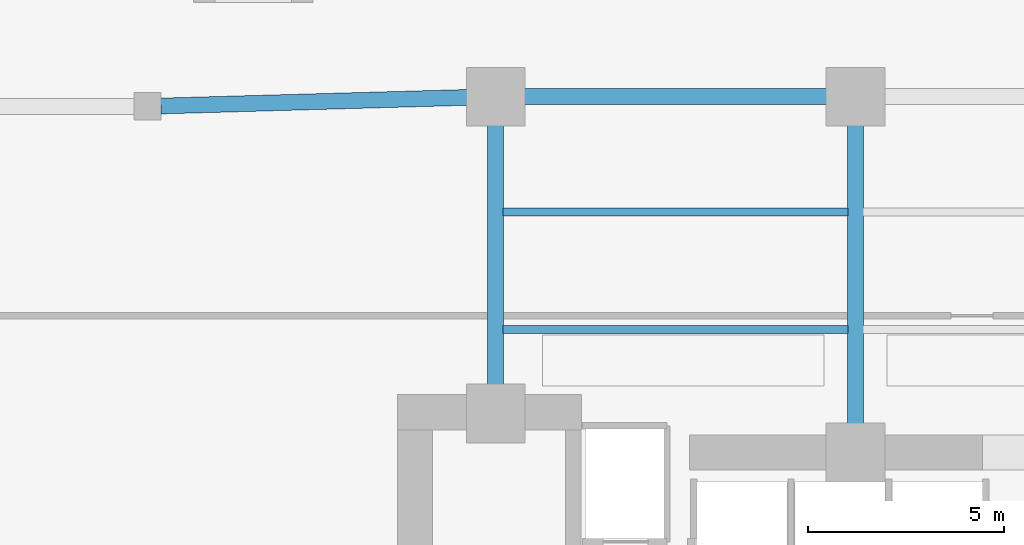
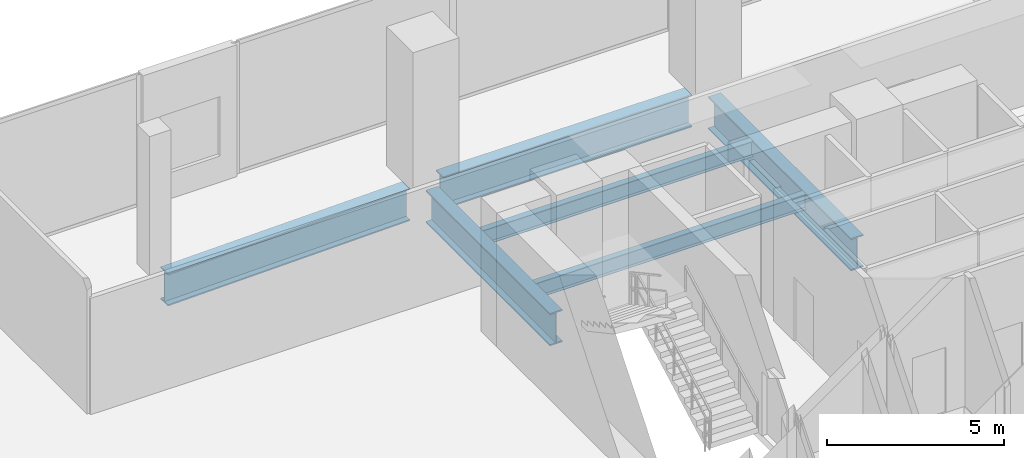
# One storey, part 15 of 33: 6 beams.
"""IFC4 building model written with IfcOpenShell, lengths in metres."""

from ifc_helpers import new_model, si_unit, direction, frame, origin, origin_2d, place, context, subcontext, project, spatial, i_section, extrude, material, material_profile, profile_set, type_object, element, save


model = new_model("IFC4")

# Units and contexts
model_context = context("Model", 3, precision=1e-05, world=origin(), true_north=direction((0.0, 1.0)))
body_context = subcontext(model_context, "Body", "Model", "MODEL_VIEW")
ifc_project = project(units=[si_unit("LENGTHUNIT", "METRE"), si_unit("AREAUNIT", "SQUARE_METRE"), si_unit("VOLUMEUNIT", "CUBIC_METRE"), si_unit("PLANEANGLEUNIT", "RADIAN"), si_unit("MASSUNIT", "GRAM", prefix="KILO")], contexts=[model_context])

# Site, building, storey
site_placement = place(None, origin())
site = spatial("IfcSite", under=ifc_project, at=site_placement, CompositionType="ELEMENT")
building_placement = place(site_placement, origin())
building = spatial("IfcBuilding", under=site, at=building_placement, Name="Zuhayl Quay Hotel", CompositionType="ELEMENT")
storey_placement = place(building_placement, frame((0.0, 0.0, 18.0)))
storey = spatial("IfcBuildingStorey", under=building, at=storey_placement, Name="L03", CompositionType="ELEMENT", Elevation=18.0)

# Beams
ifc_material_1 = material(Name="Steel ASTM A992 Grade 50", Category="steel")
ifc_material_profile_1 = material_profile(ifc_material_1, i_section(OverallWidth=0.208984375, OverallDepth=0.532958984375, WebThickness=0.01025390625, FlangeThickness=0.015625, at=origin_2d()), Name="W21X62")
ifc_profile_set_1 = profile_set([ifc_material_profile_1], Name="Steel ASTM A992 Grade 50")
beam_type_1 = type_object("IfcBeamType", Name="BM_J1_W21X62", PredefinedType="JOIST", material=ifc_profile_set_1)
for number, where, z_axis, x_axis, name in (
    (1, (-13.60595703125, 16.5, -0.526611328125), (1.0, 0.0, 0.0), (0.0, 1.0, 0.0), "L03 Floor Beam J_POD_L03_4_1"),
    (2, (-13.60595703125, 19.5, -0.526611328125), (1.0, 0.0, 0.0), (0.0, 1.0, 0.0), "L03 Floor Beam J_POD_L03_5_1"),
):
    element("IfcBeam", number, at=place(storey_placement, frame(where, z_axis=z_axis, x_axis=x_axis)), inside=storey, type_object=beam_type_1, Name=name, PredefinedType="JOIST", context=body_context, shape_type="SweptSolid", body=[
        extrude(i_section(OverallWidth=0.208984375, OverallDepth=0.532958984375, WebThickness=0.01025390625, FlangeThickness=0.015625, at=origin_2d()), origin(), (0.0, 0.0, 1.0), 8.81201171875),
    ])
ifc_material_2 = material(Name="Steel ASTM A913 Grade 65", Category="steel")
ifc_material_profile_2 = material_profile(ifc_material_2, i_section(OverallWidth=0.404052734375, OverallDepth=1.117919921875, WebThickness=0.026123046875, FlangeThickness=0.044921875, at=origin_2d()), Name="W44X335")
ifc_profile_set_2 = profile_set([ifc_material_profile_2], Name="Steel ASTM A913 Grade 65")
beam_type_2 = type_object("IfcBeamType", Name="BM_TG1_W44X335", PredefinedType="BEAM", material=ifc_profile_set_2)
beam_1_placement = place(storey_placement, frame((-22.360107421875, 22.20947265625, -0.819091796875), z_axis=(0.99960539529, 0.028090099801, 0.0), x_axis=(-0.028090099801, 0.99960539529, 0.0)))
element("IfcBeam", 3, at=beam_1_placement, inside=storey, type_object=beam_type_2, Name="L03 Floor Beam PG_N_L03_1", PredefinedType="BEAM", context=body_context, shape_type="SweptSolid", body=[
    extrude(i_section(OverallWidth=0.404052734375, OverallDepth=1.117919921875, WebThickness=0.026123046875, FlangeThickness=0.044921875, at=origin_2d()), origin(), (0.0, 0.0, 1.0), 8.013427734375),
])
beam_2_placement = place(storey_placement, frame((-13.25, 22.449951171875, -0.819091796875), z_axis=(1.0, 0.0, 0.0), x_axis=(0.0, 1.0, 0.0)))
element("IfcBeam", 4, at=beam_2_placement, inside=storey, type_object=beam_type_2, Name="L03 Floor Beam PG_N_L03_2", PredefinedType="BEAM", context=body_context, shape_type="SweptSolid", body=[
    extrude(i_section(OverallWidth=0.404052734375, OverallDepth=1.117919921875, WebThickness=0.026123046875, FlangeThickness=0.044921875, at=origin_2d()), origin(), (0.0, 0.0, 1.0), 8.10009765625),
])
beam_3_placement = place(storey_placement, frame((-13.800048828125, 14.919921875, -0.819091796875), z_axis=(0.0, 1.0, 0.0), x_axis=(-1.0, 0.0, 0.0)))
element("IfcBeam", 5, at=beam_3_placement, inside=storey, type_object=beam_type_2, Name="L03 Floor Beam PG_NS3_L03_1", PredefinedType="BEAM", context=body_context, shape_type="SweptSolid", body=[
    extrude(i_section(OverallWidth=0.404052734375, OverallDepth=1.117919921875, WebThickness=0.026123046875, FlangeThickness=0.044921875, at=origin_2d()), origin(), (0.0, 0.0, 1.0), 7.010009765625),
])
beam_4_placement = place(storey_placement, frame((-4.60009765625, 13.8701171875, -0.819091796875), z_axis=(0.0, 1.0, 0.0), x_axis=(-1.0, 0.0, 0.0)))
element("IfcBeam", 6, at=beam_4_placement, inside=storey, type_object=beam_type_2, Name="L03 Floor Beam PG_NS3_L03_2", PredefinedType="BEAM", context=body_context, shape_type="SweptSolid", body=[
    extrude(i_section(OverallWidth=0.404052734375, OverallDepth=1.117919921875, WebThickness=0.026123046875, FlangeThickness=0.044921875, at=origin_2d()), origin(), (0.0, 0.0, 1.0), 8.059814453125),
])

save(model, "model.ifc")
